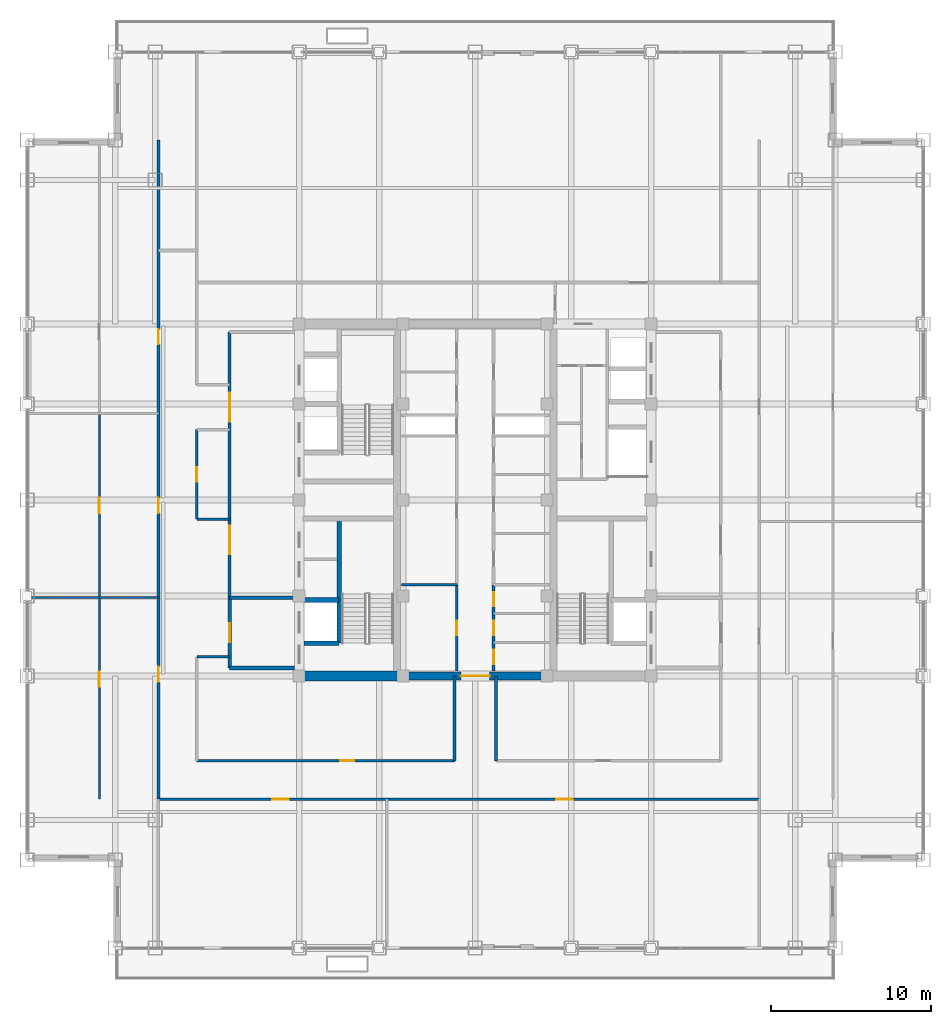
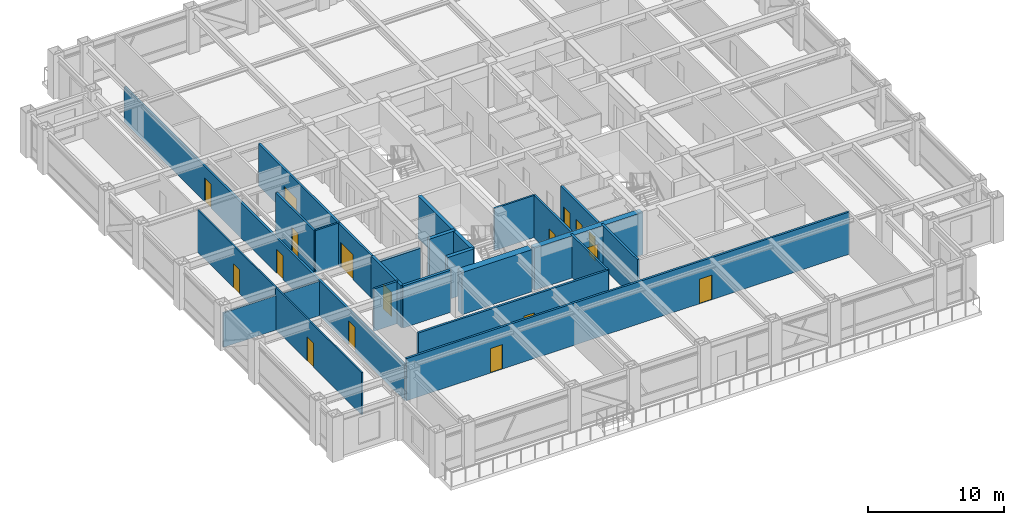
# One storey, part 26 of 32: 23 walls, 17 doors, 17 openings.
"""IFC4 building model written with IfcOpenShell, lengths in metres."""

from ifc_helpers import new_model, si_unit, direction, frame, frame_2d, origin, place, context, subcontext, project, spatial, rectangle, extrude, source, transform, mapped, material, layer, layer_set, type_object, element, fill, save


model = new_model("IFC4")

# Units and contexts
model_context = context("Model", 3, precision=1e-05, world=origin(), true_north=direction((0.0, 1.0)))
body_context = subcontext(model_context, "Body", "Model", "MODEL_VIEW")
ifc_project = project(units=[si_unit("LENGTHUNIT", "METRE"), si_unit("AREAUNIT", "SQUARE_METRE"), si_unit("VOLUMEUNIT", "CUBIC_METRE"), si_unit("PLANEANGLEUNIT", "RADIAN"), si_unit("MASSUNIT", "GRAM", prefix="KILO")], contexts=[model_context])

# Site, building, storey
site_placement = place(None, origin())
site = spatial("IfcSite", under=ifc_project, at=site_placement, CompositionType="ELEMENT")
building_placement = place(site_placement, origin())
building = spatial("IfcBuilding", under=site, at=building_placement, Name="Khorayat Bourse Tower", CompositionType="ELEMENT")
storey_placement = place(building_placement, frame((0.0, 0.0, 273.5)))
storey = spatial("IfcBuildingStorey", under=building, at=storey_placement, Name="L64", CompositionType="ELEMENT", Elevation=273.5)

# Wall
ifc_material_1 = material(Name="Concrete C60/75", Category="concrete")
ifc_layer_1 = layer(ifc_material_1, 0.60009765625)
ifc_layer_set_1 = layer_set([ifc_layer_1], Name="Concrete C60/75")
wall_type_1 = type_object("IfcWallType", Name="WAL-CORE-600", PredefinedType="SHEAR", material=ifc_layer_set_1)
shared_shape_1 = source(origin(), body_context, "Body", "SweptSolid", [
    extrude(rectangle(XDim=5.89990234375, YDim=0.60009765625, at=frame_2d((2.949951171875, 0.0))), origin(), (0.0, 0.0, 1.0), 3.780029296875),
])
wall_1_placement = place(storey_placement, frame((-10.75, -11.0, 0.0), z_axis=(0.0, 0.0, 1.0), x_axis=(1.0, 0.0, 0.0)))
element("IfcWall", 1, at=wall_1_placement, inside=storey, type_object=wall_type_1, Name="L64 Core Shear Wall PIER-WS", PredefinedType="SHEAR", context=body_context, shape_type="MappedRepresentation", body=[
    mapped(shared_shape_1, transform((0.0, 0.0, 0.0), scale=1.0)),
])

# Wall, opening, door
ifc_material_2 = material(Name="Concrete C52/65", Category="concrete")
ifc_layer_2 = layer(ifc_material_2, 0.5)
ifc_layer_set_2 = layer_set([ifc_layer_2], Name="Concrete C52/65")
wall_type_2 = type_object("IfcWallType", Name="WAL-CORE-500", PredefinedType="SHEAR", material=ifc_layer_set_2)
shared_shape_2 = source(origin(), body_context, "Body", "SweptSolid", [
    extrude(rectangle(XDim=9.2001953125, YDim=0.5, at=frame_2d((4.60009765625, 0.0))), origin(), (0.0, 0.0, 1.0), 3.780029296875),
])
wall_2_placement = place(storey_placement, frame((-4.60009765625, -11.0, 0.0), z_axis=(0.0, 0.0, 1.0), x_axis=(1.0, 0.0, 0.0)))
wall_2 = element("IfcWall", 2, at=wall_2_placement, inside=storey, type_object=wall_type_2, Name="L64 Core Shear Wall CORE-S", PredefinedType="SHEAR", context=body_context, shape_type="MappedRepresentation", body=[
    mapped(shared_shape_2, transform((0.0, 0.0, 0.0), scale=1.0)),
])
shared_shape_3 = source(origin(), body_context, "Body", "SweptSolid", [
    extrude(rectangle(XDim=1.800048828125, YDim=2.25, at=frame_2d((0.89990234375, 1.125))), frame((0.0, 0.260009765625, 0.0), z_axis=(0.0, -1.0, 0.0), x_axis=(1.0, 0.0, 0.0)), (0.0, 0.0, 1.0), 0.52001953125),
])
opening_1_placement = place(wall_2_placement, frame((3.699951171875, 0.0, 0.0)))
opening_1 = element("IfcOpeningElement", 3, at=opening_1_placement, cuts=wall_2, Name="Opening DI-03", PredefinedType="OPENING", context=body_context, shape_type="MappedRepresentation", body=[
    mapped(shared_shape_3, transform((0.0, 0.0, 0.0), scale=1.0)),
])
ifc_material_3 = material(Name="Fire-rated hardwood vision-panel double leaf", Category="wood")
door_type_1 = type_object("IfcDoorType", Name="DR-INT-CORR-1800", OperationType="NOTDEFINED", PredefinedType="DOOR", material=ifc_material_3)
shared_shape_4 = source(origin(), body_context, "Body", "SweptSolid", [
    extrude(rectangle(XDim=1.800048828125, YDim=2.25, at=frame_2d((0.89990234375, 1.125))), frame((0.0, 0.02490234375, 0.0), z_axis=(0.0, -1.0, 0.0), x_axis=(1.0, 0.0, 0.0)), (0.0, 0.0, 1.0), 0.050048828125),
])
door_1_placement = place(opening_1_placement, origin())
door_1 = element("IfcDoor", 4, at=door_1_placement, inside=storey, type_object=door_type_1, Name="L64 Central Core South Passage Door", OperationType="SINGLE_SWING_LEFT", OverallHeight=2.25, OverallWidth=1.800048828125, PredefinedType="DOOR", context=body_context, shape_type="MappedRepresentation", body=[
    mapped(shared_shape_4, transform((0.0, 0.0, 0.0), scale=1.0)),
])
fill(opening_1, door_1)

# Walls
ifc_material_4 = material(Name="Aerated concrete blockwork", Category="masonry")
ifc_layer_3 = layer(ifc_material_4, 0.219970703125)
ifc_layer_set_3 = layer_set([ifc_layer_3], Name="Aerated concrete blockwork")
wall_type_3 = type_object("IfcWallType", Name="WAL-PART-FF-220", PredefinedType="PARTITIONING", material=ifc_layer_set_3)
shared_shape_5 = source(origin(), body_context, "Body", "SweptSolid", [
    extrude(rectangle(XDim=4.050048828125, YDim=0.219970703125, at=frame_2d((2.02490234375, 0.0))), origin(), (0.0, 0.0, 1.0), 3.0849609375),
])
wall_3_placement = place(storey_placement, frame((-15.35009765625, -6.10009765625, 0.0), z_axis=(0.0, 0.0, 1.0), x_axis=(1.0, 0.0, 0.0)))
element("IfcWall", 5, at=wall_3_placement, inside=storey, type_object=wall_type_3, Name="L64 Partition WAL-L64-FFLW-N", PredefinedType="PARTITIONING", context=body_context, shape_type="MappedRepresentation", body=[
    mapped(shared_shape_5, transform((0.0, 0.0, 0.0), scale=1.0)),
])
ifc_material_5 = material(Name="Concrete C50/60", Category="concrete")
ifc_layer_4 = layer(ifc_material_5, 0.300048828125)
ifc_layer_set_4 = layer_set([ifc_layer_4], Name="Concrete C50/60")
wall_type_4 = type_object("IfcWallType", Name="WAL-SHAFT-300", PredefinedType="SHEAR", material=ifc_layer_set_4)
shared_shape_6 = source(origin(), body_context, "Body", "SweptSolid", [
    extrude(rectangle(XDim=7.800048828125, YDim=0.300048828125, at=frame_2d((3.89990234375, 0.0))), origin(), (0.0, 0.0, 1.0), 3.780029296875),
])
wall_4_placement = place(storey_placement, frame((-8.5, -8.949951171875, 0.0), z_axis=(0.0, 0.0, 1.0), x_axis=(0.0, 1.0, 0.0)))
element("IfcWall", 6, at=wall_4_placement, inside=storey, type_object=wall_type_4, Name="L64 Partition WAL-L64-WPIER-SP", PredefinedType="SHEAR", context=body_context, shape_type="MappedRepresentation", body=[
    mapped(shared_shape_6, transform((0.0, 0.0, 0.0), scale=1.0)),
])
shared_shape_7 = source(origin(), body_context, "Body", "SweptSolid", [
    extrude(rectangle(XDim=2.199951171875, YDim=0.300048828125, at=frame_2d((1.10009765625, 0.0))), origin(), (0.0, 0.0, 1.0), 3.780029296875),
])
for number, where, z_axis, x_axis, name in (
    (7, (-10.699951171875, -8.949951171875, 0.0), (0.0, 0.0, 1.0), (1.0, 0.0, 0.0), "L64 Partition WAL-L64-WPIER-FF1S"),
    (8, (-10.699951171875, -6.25, 0.0), (0.0, 0.0, 1.0), (1.0, 0.0, 0.0), "L64 Partition WAL-L64-WPIER-FF1N"),
):
    element("IfcWall", number, at=place(storey_placement, frame(where, z_axis=z_axis, x_axis=x_axis)), inside=storey, type_object=wall_type_4, Name=name, PredefinedType="SHEAR", context=body_context, shape_type="MappedRepresentation", body=[
        mapped(shared_shape_7, transform((0.0, 0.0, 0.0), scale=1.0)),
    ])
shared_shape_8 = source(origin(), body_context, "Body", "SweptSolid", [
    extrude(rectangle(XDim=4.050048828125, YDim=0.219970703125, at=frame_2d((2.02490234375, 0.0))), origin(), (0.0, 0.0, 1.0), 3.780029296875),
])
wall_5_placement = place(storey_placement, frame((-15.35009765625, -10.5, 0.0), z_axis=(0.0, 0.0, 1.0), x_axis=(1.0, 0.0, 0.0)))
element("IfcWall", 9, at=wall_5_placement, inside=storey, type_object=wall_type_3, Name="L64 Partition WAL-L64-FFLW-S", PredefinedType="PARTITIONING", context=body_context, shape_type="MappedRepresentation", body=[
    mapped(shared_shape_8, transform((0.0, 0.0, 0.0), scale=1.0)),
])

# Wall, opening, door
shared_shape_9 = source(origin(), body_context, "Body", "SweptSolid", [
    extrude(rectangle(XDim=4.39990234375, YDim=0.219970703125, at=frame_2d((2.199951171875, 0.0))), origin(), (0.0, 0.0, 1.0), 3.780029296875),
])
wall_6_placement = place(storey_placement, frame((-15.35009765625, -10.5, 0.0), z_axis=(0.0, 0.0, 1.0), x_axis=(0.0, 1.0, 0.0)))
wall_6 = element("IfcWall", 10, at=wall_6_placement, inside=storey, type_object=wall_type_3, Name="L64 Partition WAL-L64-FFLW-W", PredefinedType="PARTITIONING", context=body_context, shape_type="MappedRepresentation", body=[
    mapped(shared_shape_9, transform((0.0, 0.0, 0.0), scale=1.0)),
])
shared_shape_10 = source(origin(), body_context, "Body", "SweptSolid", [
    extrude(rectangle(XDim=1.199951171875, YDim=2.199951171875, at=frame_2d((0.60009765625, 1.10009765625))), frame((0.0, 0.119873046875, 0.0), z_axis=(0.0, -1.0, 0.0), x_axis=(1.0, 0.0, 0.0)), (0.0, 0.0, 1.0), 0.239990234375),
])
opening_2_placement = place(wall_6_placement, frame((1.60009765625, 0.0, 0.0)))
opening_2 = element("IfcOpeningElement", 11, at=opening_2_placement, cuts=wall_6, Name="Opening DI-02", PredefinedType="OPENING", context=body_context, shape_type="MappedRepresentation", body=[
    mapped(shared_shape_10, transform((0.0, 0.0, 0.0), scale=1.0)),
])
ifc_material_6 = material(Name="Fire-rated steel double-seal leaf", Category="steel")
door_type_2 = type_object("IfcDoorType", Name="DR-INT-FFLOBBY-1200", OperationType="NOTDEFINED", PredefinedType="DOOR", material=ifc_material_6)
shared_shape_11 = source(origin(), body_context, "Body", "SweptSolid", [
    extrude(rectangle(XDim=1.199951171875, YDim=2.199951171875, at=frame_2d((0.60009765625, 1.10009765625))), frame((0.0, 0.02490234375, 0.0), z_axis=(0.0, -1.0, 0.0), x_axis=(1.0, 0.0, 0.0)), (0.0, 0.0, 1.0), 0.050048828125),
])
door_2_placement = place(opening_2_placement, origin())
door_2 = element("IfcDoor", 12, at=door_2_placement, inside=storey, type_object=door_type_2, Name="L64 West Firefighting Lobby Door", OperationType="SINGLE_SWING_LEFT", OverallHeight=2.199951171875, OverallWidth=1.199951171875, PredefinedType="DOOR", context=body_context, shape_type="MappedRepresentation", body=[
    mapped(shared_shape_11, transform((0.0, 0.0, 0.0), scale=1.0)),
])
fill(opening_2, door_2)

# Wall, openings, doors
ifc_material_7 = material(Name="Gypsum plasterboard acoustic stud wall")
ifc_layer_5 = layer(ifc_material_7, 0.179931640625)
ifc_layer_set_5 = layer_set([ifc_layer_5], Name="Gypsum plasterboard acoustic stud wall")
wall_type_5 = type_object("IfcWallType", Name="WAL-PART-CORR-180", PredefinedType="PARTITIONING", material=ifc_layer_set_5)
shared_shape_12 = source(origin(), body_context, "Body", "SweptSolid", [
    extrude(rectangle(XDim=16.60009765625, YDim=0.179931640625, at=frame_2d((8.300048828125, 0.0))), origin(), (0.0, 0.0, 1.0), 3.780029296875),
])
wall_7_placement = place(storey_placement, frame((-15.35009765625, -6.10009765625, 0.0), z_axis=(0.0, 0.0, 1.0), x_axis=(0.0, 1.0, 0.0)))
wall_7 = element("IfcWall", 13, at=wall_7_placement, inside=storey, type_object=wall_type_5, Name="L64 Partition WAL-L64-WLOB-W", PredefinedType="PARTITIONING", context=body_context, shape_type="MappedRepresentation", body=[
    mapped(shared_shape_12, transform((0.0, 0.0, 0.0), scale=1.0)),
])
shared_shape_13 = source(origin(), body_context, "Body", "SweptSolid", [
    extrude(rectangle(XDim=1.800048828125, YDim=2.25, at=frame_2d((0.89990234375, 1.125))), frame((0.0, 0.099853515625, 0.0), z_axis=(0.0, -1.0, 0.0), x_axis=(1.0, 0.0, 0.0)), (0.0, 0.0, 1.0), 0.199951171875),
])
opening_3_placement = place(wall_7_placement, frame((2.699951171875, 0.0, 0.0)))
opening_3 = element("IfcOpeningElement", 14, at=opening_3_placement, cuts=wall_7, Name="Opening DI-03", PredefinedType="OPENING", context=body_context, shape_type="MappedRepresentation", body=[
    mapped(shared_shape_13, transform((0.0, 0.0, 0.0), scale=1.0)),
])
opening_4_placement = place(wall_7_placement, frame((11.0, 0.0, 0.0)))
opening_4 = element("IfcOpeningElement", 15, at=opening_4_placement, cuts=wall_7, Name="Opening DI-03", PredefinedType="OPENING", context=body_context, shape_type="MappedRepresentation", body=[
    mapped(shared_shape_13, transform((0.0, 0.0, 0.0), scale=1.0)),
])
door_3_placement = place(opening_3_placement, origin())
door_3 = element("IfcDoor", 16, at=door_3_placement, inside=storey, type_object=door_type_1, Name="L64 West Core Lobby South Door", OperationType="SINGLE_SWING_LEFT", OverallHeight=2.25, OverallWidth=1.800048828125, PredefinedType="DOOR", context=body_context, shape_type="MappedRepresentation", body=[
    mapped(shared_shape_4, transform((0.0, 0.0, 0.0), scale=1.0)),
])
fill(opening_3, door_3)
door_4_placement = place(opening_4_placement, origin())
door_4 = element("IfcDoor", 17, at=door_4_placement, inside=storey, type_object=door_type_1, Name="L64 West Core Lobby North Door", OperationType="SINGLE_SWING_RIGHT", OverallHeight=2.25, OverallWidth=1.800048828125, PredefinedType="DOOR", context=body_context, shape_type="MappedRepresentation", body=[
    mapped(shared_shape_4, transform((0.0, 0.0, 0.0), scale=1.0)),
])
fill(opening_4, door_4)

# Wall
ifc_material_8 = material(Name="Gypsum plasterboard twin-frame partition")
ifc_layer_6 = layer(ifc_material_8, 0.14990234375)
ifc_layer_set_6 = layer_set([ifc_layer_6], Name="Gypsum plasterboard twin-frame partition")
wall_type_6 = type_object("IfcWallType", Name="WAL-PART-SUITE-150", PredefinedType="PARTITIONING", material=ifc_layer_set_6)
shared_shape_14 = source(origin(), body_context, "Body", "SweptSolid", [
    extrude(rectangle(XDim=3.4501953125, YDim=0.14990234375, at=frame_2d((1.72509765625, 0.0))), origin(), (0.0, 0.0, 1.0), 3.780029296875),
])
wall_8_placement = place(storey_placement, frame((-4.60009765625, -5.300048828125, 0.0), z_axis=(0.0, 0.0, 1.0), x_axis=(1.0, 0.0, 0.0)))
element("IfcWall", 18, at=wall_8_placement, inside=storey, type_object=wall_type_6, Name="L64 Partition WAL-L64-FB1-NW", PredefinedType="PARTITIONING", context=body_context, shape_type="MappedRepresentation", body=[
    mapped(shared_shape_14, transform((0.0, 0.0, 0.0), scale=1.0)),
])

# Wall, opening, door
shared_shape_15 = source(origin(), body_context, "Body", "SweptSolid", [
    extrude(rectangle(XDim=5.39990234375, YDim=0.179931640625, at=frame_2d((2.699951171875, 0.0))), origin(), (0.0, 0.0, 1.0), 3.780029296875),
])
wall_9_placement = place(storey_placement, frame((-1.14990234375, -10.699951171875, 0.0), z_axis=(0.0, 0.0, 1.0), x_axis=(0.0, 1.0, 0.0)))
wall_9 = element("IfcWall", 19, at=wall_9_placement, inside=storey, type_object=wall_type_5, Name="L64 Partition WAL-L64-FB1W-L", PredefinedType="PARTITIONING", context=body_context, shape_type="MappedRepresentation", body=[
    mapped(shared_shape_15, transform((0.0, 0.0, 0.0), scale=1.0)),
])
shared_shape_16 = source(origin(), body_context, "Body", "SweptSolid", [
    extrude(rectangle(XDim=0.89990234375, YDim=2.14990234375, at=frame_2d((0.449951171875, 1.074951171875))), frame((0.0, 0.099853515625, 0.0), z_axis=(0.0, -1.0, 0.0), x_axis=(1.0, 0.0, 0.0)), (0.0, 0.0, 1.0), 0.199951171875),
])
opening_5_placement = place(wall_9_placement, frame((2.25, 0.0, 0.0)))
opening_5 = element("IfcOpeningElement", 20, at=opening_5_placement, cuts=wall_9, Name="Opening DI-06", PredefinedType="OPENING", context=body_context, shape_type="MappedRepresentation", body=[
    mapped(shared_shape_16, transform((0.0, 0.0, 0.0), scale=1.0)),
])
ifc_material_9 = material(Name="Moisture-resistant laminate washroom door")
door_type_3 = type_object("IfcDoorType", Name="DR-INT-WC-900", OperationType="NOTDEFINED", PredefinedType="DOOR", material=ifc_material_9)
shared_shape_17 = source(origin(), body_context, "Body", "SweptSolid", [
    extrude(rectangle(XDim=0.89990234375, YDim=2.14990234375, at=frame_2d((0.449951171875, 1.074951171875))), frame((0.0, 0.02490234375, 0.0), z_axis=(0.0, -1.0, 0.0), x_axis=(1.0, 0.0, 0.0)), (0.0, 0.0, 1.0), 0.050048828125),
])
door_5_placement = place(opening_5_placement, origin())
door_5 = element("IfcDoor", 21, at=door_5_placement, inside=storey, type_object=door_type_3, Name="L64 IT Comms Server Plant Room Door", OperationType="SINGLE_SWING_RIGHT", OverallHeight=2.14990234375, OverallWidth=0.89990234375, PredefinedType="DOOR", context=body_context, shape_type="MappedRepresentation", body=[
    mapped(shared_shape_17, transform((0.0, 0.0, 0.0), scale=1.0)),
])
fill(opening_5, door_5)

# Wall, openings, doors
wall_10_placement = place(storey_placement, frame((1.14990234375, -10.699951171875, 0.0), z_axis=(0.0, 0.0, 1.0), x_axis=(0.0, 1.0, 0.0)))
wall_10 = element("IfcWall", 22, at=wall_10_placement, inside=storey, type_object=wall_type_5, Name="L64 Partition WAL-L64-FB1E-L", PredefinedType="PARTITIONING", context=body_context, shape_type="MappedRepresentation", body=[
    mapped(shared_shape_15, transform((0.0, 0.0, 0.0), scale=1.0)),
])
opening_6_placement = place(wall_10_placement, frame((0.449951171875, 0.0, 0.0)))
opening_6 = element("IfcOpeningElement", 23, at=opening_6_placement, cuts=wall_10, Name="Opening DI-06", PredefinedType="OPENING", context=body_context, shape_type="MappedRepresentation", body=[
    mapped(shared_shape_16, transform((0.0, 0.0, 0.0), scale=1.0)),
])
opening_7_placement = place(wall_10_placement, frame((2.25, 0.0, 0.0)))
opening_7 = element("IfcOpeningElement", 24, at=opening_7_placement, cuts=wall_10, Name="Opening DI-06", PredefinedType="OPENING", context=body_context, shape_type="MappedRepresentation", body=[
    mapped(shared_shape_16, transform((0.0, 0.0, 0.0), scale=1.0)),
])
opening_8_placement = place(wall_10_placement, frame((4.050048828125, 0.0, 0.0)))
opening_8 = element("IfcOpeningElement", 25, at=opening_8_placement, cuts=wall_10, Name="Opening DI-06", PredefinedType="OPENING", context=body_context, shape_type="MappedRepresentation", body=[
    mapped(shared_shape_16, transform((0.0, 0.0, 0.0), scale=1.0)),
])
door_6_placement = place(opening_6_placement, origin())
door_6 = element("IfcDoor", 26, at=door_6_placement, inside=storey, type_object=door_type_3, Name="L64 Stationery Store Door", OperationType="SINGLE_SWING_RIGHT", OverallHeight=2.14990234375, OverallWidth=0.89990234375, PredefinedType="DOOR", context=body_context, shape_type="MappedRepresentation", body=[
    mapped(shared_shape_17, transform((0.0, 0.0, 0.0), scale=1.0)),
])
fill(opening_6, door_6)
door_7_placement = place(opening_7_placement, origin())
door_7 = element("IfcDoor", 27, at=door_7_placement, inside=storey, type_object=door_type_3, Name="L64 Meter Closet Door", OperationType="SINGLE_SWING_LEFT", OverallHeight=2.14990234375, OverallWidth=0.89990234375, PredefinedType="DOOR", context=body_context, shape_type="MappedRepresentation", body=[
    mapped(shared_shape_17, transform((0.0, 0.0, 0.0), scale=1.0)),
])
fill(opening_7, door_7)
door_8_placement = place(opening_8_placement, origin())
door_8 = element("IfcDoor", 28, at=door_8_placement, inside=storey, type_object=door_type_3, Name="L64 Print Room Door", OperationType="SINGLE_SWING_RIGHT", OverallHeight=2.14990234375, OverallWidth=0.89990234375, PredefinedType="DOOR", context=body_context, shape_type="MappedRepresentation", body=[
    mapped(shared_shape_17, transform((0.0, 0.0, 0.0), scale=1.0)),
])
fill(opening_8, door_8)

# Wall, opening, door
shared_shape_18 = source(origin(), body_context, "Body", "SweptSolid", [
    extrude(rectangle(XDim=5.599853515625, YDim=0.179931640625, at=frame_2d((2.7998046875, 0.0))), origin(), (0.0, 0.0, 1.0), 3.780029296875),
])
wall_11_placement = place(storey_placement, frame((-17.39990234375, -1.199951171875, 0.0), z_axis=(0.0, 0.0, 1.0), x_axis=(0.0, 1.0, 0.0)))
wall_11 = element("IfcWall", 29, at=wall_11_placement, inside=storey, type_object=wall_type_5, Name="L64 Partition WAL-L64-PKWM-W", PredefinedType="PARTITIONING", context=body_context, shape_type="MappedRepresentation", body=[
    mapped(shared_shape_18, transform((0.0, 0.0, 0.0), scale=1.0)),
])
opening_9_placement = place(wall_11_placement, frame((2.35009765625, 0.0, 0.0)))
opening_9 = element("IfcOpeningElement", 30, at=opening_9_placement, cuts=wall_11, Name="Opening DI-06", PredefinedType="OPENING", context=body_context, shape_type="MappedRepresentation", body=[
    mapped(shared_shape_16, transform((0.0, 0.0, 0.0), scale=1.0)),
])
door_9_placement = place(opening_9_placement, origin())
door_9 = element("IfcDoor", 31, at=door_9_placement, inside=storey, type_object=door_type_3, Name="L64 West Inboard Focus Door", OperationType="SINGLE_SWING_LEFT", OverallHeight=2.14990234375, OverallWidth=0.89990234375, PredefinedType="DOOR", context=body_context, shape_type="MappedRepresentation", body=[
    mapped(shared_shape_17, transform((0.0, 0.0, 0.0), scale=1.0)),
])
fill(opening_9, door_9)

# Walls
shared_shape_19 = source(origin(), body_context, "Body", "SweptSolid", [
    extrude(rectangle(XDim=2.0498046875, YDim=0.14990234375, at=frame_2d((1.02490234375, 0.0))), origin(), (0.0, 0.0, 1.0), 3.780029296875),
])
wall_12_placement = place(storey_placement, frame((-17.39990234375, -1.199951171875, 0.0), z_axis=(0.0, 0.0, 1.0), x_axis=(1.0, 0.0, 0.0)))
element("IfcWall", 32, at=wall_12_placement, inside=storey, type_object=wall_type_6, Name="L64 Partition WAL-L64-PKWM-S", PredefinedType="PARTITIONING", context=body_context, shape_type="MappedRepresentation", body=[
    mapped(shared_shape_19, transform((0.0, 0.0, 0.0), scale=1.0)),
])
shared_shape_20 = source(origin(), body_context, "Body", "SweptSolid", [
    extrude(rectangle(XDim=2.0498046875, YDim=0.179931640625, at=frame_2d((1.02490234375, 0.0))), origin(), (0.0, 0.0, 1.0), 3.780029296875),
])
wall_13_placement = place(storey_placement, frame((-17.39990234375, -9.800048828125, 0.0), z_axis=(0.0, 0.0, 1.0), x_axis=(1.0, 0.0, 0.0)))
element("IfcWall", 33, at=wall_13_placement, inside=storey, type_object=wall_type_5, Name="L64 Partition WAL-L64-THRW-S", PredefinedType="PARTITIONING", context=body_context, shape_type="MappedRepresentation", body=[
    mapped(shared_shape_20, transform((0.0, 0.0, 0.0), scale=1.0)),
])

# Wall, opening, door
shared_shape_21 = source(origin(), body_context, "Body", "SweptSolid", [
    extrude(rectangle(XDim=16.099853515625, YDim=0.179931640625, at=frame_2d((8.0498046875, 0.0))), origin(), (0.0, 0.0, 1.0), 3.780029296875),
])
wall_14_placement = place(storey_placement, frame((-17.39990234375, -16.300048828125, 0.0), z_axis=(0.0, 0.0, 1.0), x_axis=(1.0, 0.0, 0.0)))
wall_14 = element("IfcWall", 34, at=wall_14_placement, inside=storey, type_object=wall_type_5, Name="L64 Partition WAL-L64-PKSW-S", PredefinedType="PARTITIONING", context=body_context, shape_type="MappedRepresentation", body=[
    mapped(shared_shape_21, transform((0.0, 0.0, 0.0), scale=1.0)),
])
opening_10_placement = place(wall_14_placement, frame((8.949951171875, 0.0, 0.0)))
opening_10 = element("IfcOpeningElement", 35, at=opening_10_placement, cuts=wall_14, Name="Opening DI-06", PredefinedType="OPENING", context=body_context, shape_type="MappedRepresentation", body=[
    mapped(shared_shape_16, transform((0.0, 0.0, 0.0), scale=1.0)),
])
door_10_placement = place(opening_10_placement, origin())
door_10 = element("IfcDoor", 36, at=door_10_placement, inside=storey, type_object=door_type_3, Name="L64 SW Inboard Pantry Door", OperationType="SINGLE_SWING_LEFT", OverallHeight=2.14990234375, OverallWidth=0.89990234375, PredefinedType="DOOR", context=body_context, shape_type="MappedRepresentation", body=[
    mapped(shared_shape_17, transform((0.0, 0.0, 0.0), scale=1.0)),
])
fill(opening_10, door_10)

# Walls
shared_shape_22 = source(origin(), body_context, "Body", "SweptSolid", [
    extrude(rectangle(XDim=5.300048828125, YDim=0.179931640625, at=frame_2d((2.64990234375, 0.0))), origin(), (0.0, 0.0, 1.0), 3.780029296875),
])
for number, where, z_axis, x_axis, name in (
    (37, (-1.300048828125, -16.300048828125, 0.0), (0.0, 0.0, 1.0), (0.0, 1.0, 0.0), "L64 Partition WAL-L64-PKSW-E"),
    (38, (1.300048828125, -16.300048828125, 0.0), (0.0, 0.0, 1.0), (0.0, 1.0, 0.0), "L64 Partition WAL-L64-PKSE-W"),
):
    element("IfcWall", number, at=place(storey_placement, frame(where, z_axis=z_axis, x_axis=x_axis)), inside=storey, type_object=wall_type_5, Name=name, PredefinedType="PARTITIONING", context=body_context, shape_type="MappedRepresentation", body=[
        mapped(shared_shape_22, transform((0.0, 0.0, 0.0), scale=1.0)),
    ])

# Wall, openings, doors
shared_shape_23 = source(origin(), body_context, "Body", "SweptSolid", [
    extrude(rectangle(XDim=37.550048828125, YDim=0.179931640625, at=frame_2d((18.77490234375, 0.0))), origin(), (0.0, 0.0, 1.0), 3.780029296875),
])
wall_15_placement = place(storey_placement, frame((-19.800048828125, -18.699951171875, 0.0), z_axis=(0.0, 0.0, 1.0), x_axis=(1.0, 0.0, 0.0)))
wall_15 = element("IfcWall", 39, at=wall_15_placement, inside=storey, type_object=wall_type_5, Name="L64 Partition WAL-L64-SCORR", PredefinedType="PARTITIONING", context=body_context, shape_type="MappedRepresentation", body=[
    mapped(shared_shape_23, transform((0.0, 0.0, 0.0), scale=1.0)),
])
shared_shape_24 = source(origin(), body_context, "Body", "SweptSolid", [
    extrude(rectangle(XDim=1.050048828125, YDim=2.199951171875, at=frame_2d((0.52490234375, 1.10009765625))), frame((0.0, 0.099853515625, 0.0), z_axis=(0.0, -1.0, 0.0), x_axis=(1.0, 0.0, 0.0)), (0.0, 0.0, 1.0), 0.199951171875),
])
opening_11_placement = place(wall_15_placement, frame((7.109619140625, 0.0, 0.0)))
opening_11 = element("IfcOpeningElement", 40, at=opening_11_placement, cuts=wall_15, Name="Opening DI-04", PredefinedType="OPENING", context=body_context, shape_type="MappedRepresentation", body=[
    mapped(shared_shape_24, transform((0.0, 0.0, 0.0), scale=1.0)),
])
opening_12_placement = place(wall_15_placement, frame((24.859619140625, 0.0, 0.0)))
opening_12 = element("IfcOpeningElement", 41, at=opening_12_placement, cuts=wall_15, Name="Opening DI-04", PredefinedType="OPENING", context=body_context, shape_type="MappedRepresentation", body=[
    mapped(shared_shape_24, transform((0.0, 0.0, 0.0), scale=1.0)),
])
ifc_material_10 = material(Name="Fire-rated oak veneer suite entrance door")
door_type_4 = type_object("IfcDoorType", Name="DR-INT-SUITE-1050", OperationType="NOTDEFINED", PredefinedType="DOOR", material=ifc_material_10)
shared_shape_25 = source(origin(), body_context, "Body", "SweptSolid", [
    extrude(rectangle(XDim=1.050048828125, YDim=2.199951171875, at=frame_2d((0.52490234375, 1.10009765625))), frame((0.0, 0.02490234375, 0.0), z_axis=(0.0, -1.0, 0.0), x_axis=(1.0, 0.0, 0.0)), (0.0, 0.0, 1.0), 0.050048828125),
])
door_11_placement = place(opening_11_placement, origin())
door_11 = element("IfcDoor", 42, at=door_11_placement, inside=storey, type_object=door_type_4, Name="L64 South Sky Terrace Lounge S1 Door", OperationType="SINGLE_SWING_RIGHT", OverallHeight=2.199951171875, OverallWidth=1.050048828125, PredefinedType="DOOR", context=body_context, shape_type="MappedRepresentation", body=[
    mapped(shared_shape_25, transform((0.0, 0.0, 0.0), scale=1.0)),
])
fill(opening_11, door_11)
door_12_placement = place(opening_12_placement, origin())
door_12 = element("IfcDoor", 43, at=door_12_placement, inside=storey, type_object=door_type_4, Name="L64 Quantitative Research Study S2 Door", OperationType="SINGLE_SWING_LEFT", OverallHeight=2.199951171875, OverallWidth=1.050048828125, PredefinedType="DOOR", context=body_context, shape_type="MappedRepresentation", body=[
    mapped(shared_shape_25, transform((0.0, 0.0, 0.0), scale=1.0)),
])
fill(opening_12, door_12)

# Wall, opening, door
ifc_material_11 = material(Name="Gypsum plasterboard partition")
ifc_layer_7 = layer(ifc_material_11, 0.125)
ifc_layer_set_7 = layer_set([ifc_layer_7], Name="Gypsum plasterboard partition")
wall_type_7 = type_object("IfcWallType", Name="WAL-PART-ROOM-125", PredefinedType="PARTITIONING", material=ifc_layer_set_7)
shared_shape_26 = source(origin(), body_context, "Body", "SweptSolid", [
    extrude(rectangle(XDim=12.60791015625, YDim=0.125, at=frame_2d((6.303955078125, 0.0))), origin(), (0.0, 0.0, 1.0), 3.780029296875),
])
wall_16_placement = place(storey_placement, frame((-23.489990234375, -18.699951171875, 0.0), z_axis=(0.0, 0.0, 1.0), x_axis=(0.0, 1.0, 0.0)))
wall_16 = element("IfcWall", 44, at=wall_16_placement, inside=storey, type_object=wall_type_7, Name="L64 Partition WAL-L64-WDP-1", PredefinedType="PARTITIONING", context=body_context, shape_type="MappedRepresentation", body=[
    mapped(shared_shape_26, transform((0.0, 0.0, 0.0), scale=1.0)),
])
shared_shape_27 = source(origin(), body_context, "Body", "SweptSolid", [
    extrude(rectangle(XDim=0.949951171875, YDim=2.14990234375, at=frame_2d((0.47509765625, 1.074951171875))), frame((0.0, 0.072509765625, 0.0), z_axis=(0.0, -1.0, 0.0), x_axis=(1.0, 0.0, 0.0)), (0.0, 0.0, 1.0), 0.14501953125),
])
opening_13_placement = place(wall_16_placement, frame((7.029052734375, 0.0, 0.0)))
opening_13 = element("IfcOpeningElement", 45, at=opening_13_placement, cuts=wall_16, Name="Opening DI-05", PredefinedType="OPENING", context=body_context, shape_type="MappedRepresentation", body=[
    mapped(shared_shape_27, transform((0.0, 0.0, 0.0), scale=1.0)),
])
ifc_material_12 = material(Name="Acoustic oak veneer office door")
door_type_5 = type_object("IfcDoorType", Name="DR-INT-OFFICE-950", OperationType="NOTDEFINED", PredefinedType="DOOR", material=ifc_material_12)
shared_shape_28 = source(origin(), body_context, "Body", "SweptSolid", [
    extrude(rectangle(XDim=0.949951171875, YDim=2.14990234375, at=frame_2d((0.47509765625, 1.074951171875))), frame((0.0, 0.02490234375, 0.0), z_axis=(0.0, -1.0, 0.0), x_axis=(1.0, 0.0, 0.0)), (0.0, 0.0, 1.0), 0.050048828125),
])
door_13_placement = place(opening_13_placement, origin())
door_13 = element("IfcDoor", 46, at=door_13_placement, inside=storey, type_object=door_type_5, Name="L64 Clearing Operations Office W1B Door", OperationType="SINGLE_SWING_RIGHT", OverallHeight=2.14990234375, OverallWidth=0.949951171875, PredefinedType="DOOR", context=body_context, shape_type="MappedRepresentation", body=[
    mapped(shared_shape_28, transform((0.0, 0.0, 0.0), scale=1.0)),
])
fill(opening_13, door_13)

# Wall
shared_shape_29 = source(origin(), body_context, "Body", "SweptSolid", [
    extrude(rectangle(XDim=8.199951171875, YDim=0.125, at=frame_2d((4.10009765625, 0.0))), origin(), (0.0, 0.0, 1.0), 3.0849609375),
])
wall_17_placement = place(storey_placement, frame((-28.0, -6.092041015625, 0.0), z_axis=(0.0, 0.0, 1.0), x_axis=(1.0, 0.0, 0.0)))
element("IfcWall", 47, at=wall_17_placement, inside=storey, type_object=wall_type_7, Name="L64 Partition WAL-L64-WDV-1", PredefinedType="PARTITIONING", context=body_context, shape_type="MappedRepresentation", body=[
    mapped(shared_shape_29, transform((0.0, 0.0, 0.0), scale=1.0)),
])

# Wall, opening, door
shared_shape_30 = source(origin(), body_context, "Body", "SweptSolid", [
    extrude(rectangle(XDim=11.484130859375, YDim=0.125, at=frame_2d((5.7421875, 0.0))), origin(), (0.0, 0.0, 1.0), 3.780029296875),
])
wall_18_placement = place(storey_placement, frame((-23.489990234375, -6.092041015625, 0.0), z_axis=(0.0, 0.0, 1.0), x_axis=(0.0, 1.0, 0.0)))
wall_18 = element("IfcWall", 48, at=wall_18_placement, inside=storey, type_object=wall_type_7, Name="L64 Partition WAL-L64-WDP-2", PredefinedType="PARTITIONING", context=body_context, shape_type="MappedRepresentation", body=[
    mapped(shared_shape_30, transform((0.0, 0.0, 0.0), scale=1.0)),
])
opening_14_placement = place(wall_18_placement, frame((5.26708984375, 0.0, 0.0)))
opening_14 = element("IfcOpeningElement", 49, at=opening_14_placement, cuts=wall_18, Name="Opening DI-05", PredefinedType="OPENING", context=body_context, shape_type="MappedRepresentation", body=[
    mapped(shared_shape_27, transform((0.0, 0.0, 0.0), scale=1.0)),
])
door_14_placement = place(opening_14_placement, origin())
door_14 = element("IfcDoor", 50, at=door_14_placement, inside=storey, type_object=door_type_5, Name="L64 Occupational First Aid Clinic W2B Door", OperationType="SINGLE_SWING_LEFT", OverallHeight=2.14990234375, OverallWidth=0.949951171875, PredefinedType="DOOR", context=body_context, shape_type="MappedRepresentation", body=[
    mapped(shared_shape_28, transform((0.0, 0.0, 0.0), scale=1.0)),
])
fill(opening_14, door_14)

# Wall, openings, doors
shared_shape_31 = source(origin(), body_context, "Body", "SweptSolid", [
    extrude(rectangle(XDim=41.199951171875, YDim=0.179931640625, at=frame_2d((20.60009765625, 0.0))), origin(), (0.0, 0.0, 1.0), 3.1640625),
])
wall_19_placement = place(storey_placement, frame((-19.800048828125, -18.699951171875, 0.0), z_axis=(0.0, 0.0, 1.0), x_axis=(0.0, 1.0, 0.0)))
wall_19 = element("IfcWall", 51, at=wall_19_placement, inside=storey, type_object=wall_type_5, Name="L64 Partition WAL-L64-WCORR", PredefinedType="PARTITIONING", context=body_context, shape_type="MappedRepresentation", body=[
    mapped(shared_shape_31, transform((0.0, 0.0, 0.0), scale=1.0)),
])
shared_shape_32 = source(origin(), body_context, "Body", "SweptSolid", [
    extrude(rectangle(XDim=0.949951171875, YDim=2.14990234375, at=frame_2d((0.47509765625, 1.074951171875))), frame((0.0, 0.099853515625, 0.0), z_axis=(0.0, -1.0, 0.0), x_axis=(1.0, 0.0, 0.0)), (0.0, 0.0, 1.0), 0.199951171875),
])
opening_15_placement = place(wall_19_placement, frame((7.3291015625, 0.0, 0.0)))
opening_15 = element("IfcOpeningElement", 52, at=opening_15_placement, cuts=wall_19, Name="Opening DI-05", PredefinedType="OPENING", context=body_context, shape_type="MappedRepresentation", body=[
    mapped(shared_shape_32, transform((0.0, 0.0, 0.0), scale=1.0)),
])
opening_16_placement = place(wall_19_placement, frame((17.875, 0.0, 0.0)))
opening_16 = element("IfcOpeningElement", 53, at=opening_16_placement, cuts=wall_19, Name="Opening DI-05", PredefinedType="OPENING", context=body_context, shape_type="MappedRepresentation", body=[
    mapped(shared_shape_32, transform((0.0, 0.0, 0.0), scale=1.0)),
])
opening_17_placement = place(wall_19_placement, frame((28.4208984375, 0.0, 0.0)))
opening_17 = element("IfcOpeningElement", 54, at=opening_17_placement, cuts=wall_19, Name="Opening DI-05", PredefinedType="OPENING", context=body_context, shape_type="MappedRepresentation", body=[
    mapped(shared_shape_32, transform((0.0, 0.0, 0.0), scale=1.0)),
])
door_15_placement = place(opening_15_placement, origin())
door_15 = element("IfcDoor", 55, at=door_15_placement, inside=storey, type_object=door_type_5, Name="L64 Market Committee Conference Room W1 Door", OperationType="SINGLE_SWING_RIGHT", OverallHeight=2.14990234375, OverallWidth=0.949951171875, PredefinedType="DOOR", context=body_context, shape_type="MappedRepresentation", body=[
    mapped(shared_shape_28, transform((0.0, 0.0, 0.0), scale=1.0)),
])
fill(opening_15, door_15)
door_16_placement = place(opening_16_placement, origin())
door_16 = element("IfcDoor", 56, at=door_16_placement, inside=storey, type_object=door_type_5, Name="L64 Market Risk Analytics Workspace W2 Door", OperationType="SINGLE_SWING_LEFT", OverallHeight=2.14990234375, OverallWidth=0.949951171875, PredefinedType="DOOR", context=body_context, shape_type="MappedRepresentation", body=[
    mapped(shared_shape_28, transform((0.0, 0.0, 0.0), scale=1.0)),
])
fill(opening_16, door_16)
door_17_placement = place(opening_17_placement, origin())
door_17 = element("IfcDoor", 57, at=door_17_placement, inside=storey, type_object=door_type_5, Name="L64 Staff Tea Pantry W3 Door", OperationType="SINGLE_SWING_RIGHT", OverallHeight=2.14990234375, OverallWidth=0.949951171875, PredefinedType="DOOR", context=body_context, shape_type="MappedRepresentation", body=[
    mapped(shared_shape_28, transform((0.0, 0.0, 0.0), scale=1.0)),
])
fill(opening_17, door_17)

save(model, "model.ifc")
